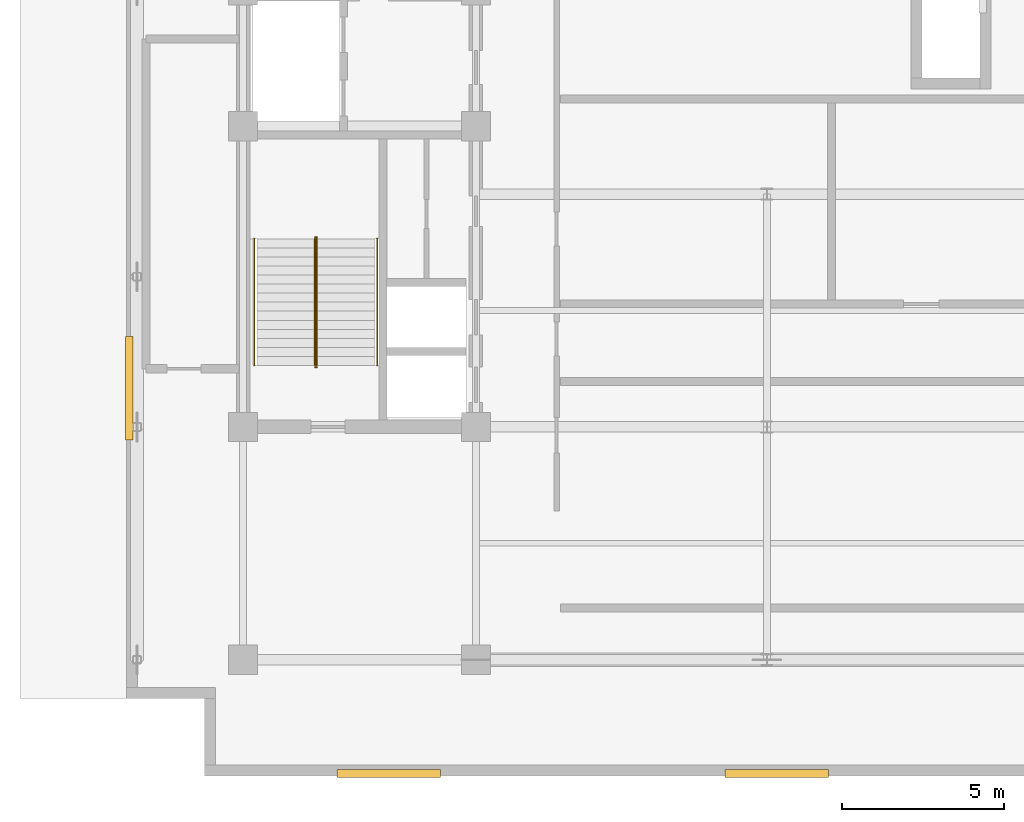
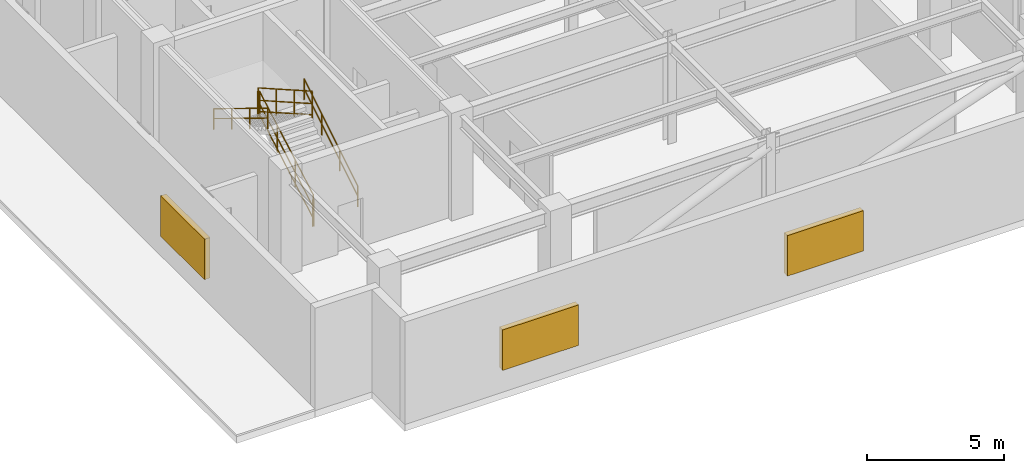
# One storey, part 9 of 13: 6 railings, 3 shading devices.
"""IFC4 building model written with IfcOpenShell, lengths in metres."""

import ifcopenshell
import ifcopenshell.guid

model = None  # the IFC model being written
_history = None  # IfcOwnerHistory: only IFC2X3 demands one
_inside = {}  # id of a spatial element -> (the spatial element, [elements in it])
_under = {}  # id of a project, library or spatial element -> (it, [spatial elements below it])
_declared = {}  # id of a project -> (the project, [libraries it declares])
_typed = {}  # id of a type object -> (the type object, [elements of that type])
_made_of = {}  # id of a material, layer set ... -> (it, [elements and type objects made of it])


def new_model(schema):
    """Start an empty IFC model of exactly this schema.

    Asked for "IFC4X3", IfcOpenShell would pick the latest addendum, in which some entities
    have other attributes; the version numbers below select the first issue.
    IFC2X3 requires an IfcOwnerHistory on every rooted entity: one is made here for all.
    """
    global model, _history
    if schema == "IFC4X3":
        model = ifcopenshell.file(schema_version=(4, 3, 0, 0))
    else:
        model = ifcopenshell.file(schema=schema)
    _inside.clear()
    _under.clear()
    _declared.clear()
    _typed.clear()
    _made_of.clear()
    _history = None
    if model.schema == "IFC2X3":
        org = make("IfcOrganization", Name="unknown")
        user = make(
            "IfcPersonAndOrganization",
            ThePerson=make("IfcPerson", FamilyName="unknown"),
            TheOrganization=org,
        )
        app = make(
            "IfcApplication",
            ApplicationDeveloper=org,
            Version="unknown",
            ApplicationFullName="unknown",
            ApplicationIdentifier="unknown",
        )
        _history = make(
            "IfcOwnerHistory",
            OwningUser=user,
            OwningApplication=app,
            ChangeAction="ADDED",
            CreationDate=0,
        )
    return model


def make(cls, **values):
    """One entity of the class cls with the attributes given. An attribute that is None is left unset."""
    return model.create_entity(
        cls, **{name: value for name, value in values.items() if value is not None}
    )


def entity(cls, *values):
    """Any entity or typed value of the class cls, its attributes in the order of the schema. None: left unset."""
    e = model.create_entity(cls)
    for i, value in enumerate(values):
        if value is not None:
            e[i] = value
    return e


def rooted(cls, **values):
    """An entity with a GlobalId (a new one), such as an element, a storey or a relation."""
    return make(cls, GlobalId=ifcopenshell.guid.new(), OwnerHistory=_history, **values)


def si_unit(unit_type, name, prefix=None):
    """IfcSIUnit, for example si_unit("LENGTHUNIT", "METRE", prefix="MILLI")."""
    return make("IfcSIUnit", UnitType=unit_type, Prefix=prefix, Name=name)


def converted_unit(unit_type, name, factor, base, dimensions=None, offset=None):
    """IfcConversionBasedUnit, such as the inch: factor (a typed value) times the base unit."""
    return make(
        "IfcConversionBasedUnit"
        if offset is None
        else "IfcConversionBasedUnitWithOffset",
        ConversionOffset=offset,
        Dimensions=None
        if dimensions is None
        else entity("IfcDimensionalExponents", *dimensions),
        UnitType=unit_type,
        Name=name,
        ConversionFactor=make(
            "IfcMeasureWithUnit", ValueComponent=factor, UnitComponent=base
        ),
    )


def assignment(units):
    """IfcUnitAssignment: the units of a project."""
    return None if units is None else make("IfcUnitAssignment", Units=units)


def point(xyz):
    """IfcCartesianPoint."""
    return None if xyz is None else make("IfcCartesianPoint", Coordinates=xyz)


def direction(xyz):
    """IfcDirection."""
    return None if xyz is None else make("IfcDirection", DirectionRatios=xyz)


def frame(location, z_axis=None, x_axis=None):
    """IfcAxis2Placement3D, a coordinate frame: its origin and axes. An axis left out is left unset."""
    return make(
        "IfcAxis2Placement3D",
        Location=point(location),
        Axis=direction(z_axis),
        RefDirection=direction(x_axis),
    )


def frame_2d(location, x_axis=None):
    """IfcAxis2Placement2D, a coordinate frame in the plane: its origin and x axis."""
    return make(
        "IfcAxis2Placement2D", Location=point(location), RefDirection=direction(x_axis)
    )


def origin_with_axes():
    """The frame at (0, 0, 0) with the z axis (0, 0, 1) and the x axis (1, 0, 0) written out."""
    return frame((0.0, 0.0, 0.0), z_axis=(0.0, 0.0, 1.0), x_axis=(1.0, 0.0, 0.0))


def origin_2d_with_axis():
    """The frame at (0, 0) in the plane with the x axis (1, 0) written out."""
    return frame_2d((0.0, 0.0), x_axis=(1.0, 0.0))


def place(relative_to, where):
    """IfcLocalPlacement: puts the frame where relative to a parent placement (None: the world)."""
    return make(
        "IfcLocalPlacement", PlacementRelTo=relative_to, RelativePlacement=where
    )


def context(
    kind, dimensions, precision=None, world=None, true_north=None, identifier=None
):
    """IfcGeometricRepresentationContext, for example the 3D "Model" context."""
    return make(
        "IfcGeometricRepresentationContext",
        ContextIdentifier=identifier,
        ContextType=kind,
        CoordinateSpaceDimension=dimensions,
        Precision=precision,
        WorldCoordinateSystem=world,
        TrueNorth=true_north,
    )


def subcontext(parent, identifier, kind, view, scale=None):
    """IfcGeometricRepresentationSubContext, for example "Body" below "Model"."""
    return make(
        "IfcGeometricRepresentationSubContext",
        ContextIdentifier=identifier,
        ContextType=kind,
        ParentContext=parent,
        TargetScale=scale,
        TargetView=view,
    )


def project(units=None, contexts=None):
    """IfcProject with its units and contexts."""
    return rooted(
        "IfcProject",
        Name="project",
        RepresentationContexts=contexts,
        UnitsInContext=assignment(units),
    )


def spatial(cls, under=None, at=None, **own):
    """A site, building, storey or space (cls), placed at a placement, below another one or the project."""
    s = rooted(cls, ObjectPlacement=at, **own)
    if under is not None:
        _under.setdefault(under.id(), (under, []))[1].append(s)
    return s


def profile(cls, at=None, kind="AREA", **sizes):
    """A parametric profile (cls). Its sizes go by their IFC names, for example OverallWidth=200.0."""
    return make(cls, ProfileType=kind, Position=at, **sizes)


def rectangle(**sizes):
    """IfcRectangleProfileDef."""
    return profile("IfcRectangleProfileDef", **sizes)


def circle(**sizes):
    """IfcCircleProfileDef."""
    return profile("IfcCircleProfileDef", **sizes)


def extrude(swept, where, along, depth):
    """IfcExtrudedAreaSolid: the profile swept, set in the frame where, extruded along a direction by depth."""
    return make(
        "IfcExtrudedAreaSolid",
        SweptArea=swept,
        Position=where,
        ExtrudedDirection=direction(along),
        Depth=depth,
    )


def shape(context_of_items, identifier, shape_type, items):
    """IfcShapeRepresentation: the items that make up one representation, for example the "Body"."""
    return make(
        "IfcShapeRepresentation",
        ContextOfItems=context_of_items,
        RepresentationIdentifier=identifier,
        RepresentationType=shape_type,
        Items=items,
    )


def material(Name=None, Category=None):
    """IfcMaterial."""
    return make("IfcMaterial", Name=Name, Category=Category)


def made_of(thing, what):
    """Note that an element or type object is made of a material, layer set ...; save() writes the relation."""
    if what is not None:
        _made_of.setdefault(what.id(), (what, []))[1].append(thing)
    return thing


def type_object(cls, material=None, **own):
    """A type object (cls), such as IfcWallType, which elements share."""
    return made_of(rooted(cls, **own), material)


def element(
    cls,
    number,
    at=None,
    inside=None,
    cuts=None,
    type_object=None,
    material=None,
    context=None,
    identifier="Body",
    shape_type=None,
    held_by="IfcProductDefinitionShape",
    body=None,
    shapes=None,
    **own,
):
    """One element of the class cls, such as IfcWall. Its Tag is "e" and its number.

    at: its placement. inside: the storey or other place that contains it. cuts: it is an
    opening in that element (IfcRelVoidsElement). A single representation is given by context,
    identifier, shape_type and body (its items); several are given by shapes. held_by: the class
    of the entity that holds the representations. save() writes the other relations.
    """
    e = rooted(cls, Tag="e%d" % number, ObjectPlacement=at, **own)
    if body is not None:
        shapes = [shape(context, identifier, shape_type, body)]
    if shapes is not None:
        e.Representation = make(held_by, Representations=shapes)
    if inside is not None:
        _inside.setdefault(inside.id(), (inside, []))[1].append(e)
    if cuts is not None:
        rooted(
            "IfcRelVoidsElement", RelatingBuildingElement=cuts, RelatedOpeningElement=e
        )
    if type_object is not None:
        _typed.setdefault(type_object.id(), (type_object, []))[1].append(e)
    return made_of(e, material)


def aggregate(whole, parts):
    """IfcRelAggregates: a whole, such as a stair, and the parts it consists of."""
    return rooted("IfcRelAggregates", RelatingObject=whole, RelatedObjects=parts)


def save(model, path):
    """Write the relations noted so far, then the file.

    IfcRelAggregates (storeys below a building ...), IfcRelContainedInSpatialStructure (elements
    in a storey), IfcRelDefinesByType, IfcRelAssociatesMaterial and IfcRelDeclares: one each for
    every whole, place, type object, material and project.
    """
    for whole, parts in _under.values():
        aggregate(whole, parts)
    for where, things in _inside.values():
        rooted(
            "IfcRelContainedInSpatialStructure",
            RelatedElements=things,
            RelatingStructure=where,
        )
    for kind, things in _typed.values():
        rooted("IfcRelDefinesByType", RelatedObjects=things, RelatingType=kind)
    for what, things in _made_of.values():
        rooted("IfcRelAssociatesMaterial", RelatedObjects=things, RelatingMaterial=what)
    for by, libraries in _declared.values():
        rooted("IfcRelDeclares", RelatingContext=by, RelatedDefinitions=libraries)
    model.write(path)


model = new_model("IFC4")

# Units and contexts
model_context = context("Model", 3, precision=1e-05, world=origin_with_axes(), true_north=direction((0.0, 1.0)))
body_context = subcontext(model_context, "Body", "Model", "MODEL_VIEW")
ifc_project = project(units=[si_unit("LENGTHUNIT", "METRE"), si_unit("AREAUNIT", "SQUARE_METRE"), si_unit("VOLUMEUNIT", "CUBIC_METRE"), converted_unit("PLANEANGLEUNIT", "DEGREE", entity("IfcPlaneAngleMeasure", 0.017453292519943295), si_unit("PLANEANGLEUNIT", "RADIAN"), dimensions=[0, 0, 0, 0, 0, 0, 0]), si_unit("MASSUNIT", "GRAM", prefix="KILO"), si_unit("THERMODYNAMICTEMPERATUREUNIT", "KELVIN")], contexts=[model_context])

# Site, building, storey
site_placement = place(None, origin_with_axes())
site = spatial("IfcSite", under=ifc_project, at=site_placement, CompositionType="ELEMENT")
building_placement = place(site_placement, origin_with_axes())
building = spatial("IfcBuilding", under=site, at=building_placement, Name="Varnlund Millrace Tower", CompositionType="ELEMENT")
storey_placement = place(building_placement, frame((0.0, 0.0, 248.1), z_axis=(0.0, 0.0, 1.0), x_axis=(1.0, 0.0, 0.0)))
storey = spatial("IfcBuildingStorey", under=building, at=storey_placement, Name="L61", CompositionType="ELEMENT", Elevation=248.1)

# Shading devices
ifc_material_1 = material(Name="Architectural bronze cold-climate intake louvre", Category="aluminium")
shading_device_type = type_object("IfcShadingDeviceType", Name="Type-Shade-CrownLouvre-JAL", PredefinedType="JALOUSIE", material=ifc_material_1)
for number, where, z_axis, x_axis, name in (
    (1, (7.88, 12.0, 1.0), (0.0, 0.0, 1.0), (0.0, 1.0, 0.0), "Type-Shade-CrownLouvre-JAL"),
    (2, (15.9, 0.08, 1.0), (0.0, 0.0, 1.0), (1.0, 0.0, 0.0), "Type-Shade-CrownLouvre-JAL"),
    (3, (27.9, 0.08, 1.0), (0.0, 0.0, 1.0), (1.0, 0.0, 0.0), "Type-Shade-CrownLouvre-JAL"),
):
    element("IfcShadingDevice", number, at=place(storey_placement, frame(where, z_axis=z_axis, x_axis=x_axis)), inside=storey, type_object=shading_device_type, Name=name, PredefinedType="JALOUSIE", context=body_context, shape_type="SweptSolid", body=[
        extrude(rectangle(XDim=3.2, YDim=0.24, at=origin_2d_with_axis()), origin_with_axes(), (0.0, 0.0, 1.0), 1.8),
    ])

# Railings
ifc_material_2 = material(Name="Painted steel stair well balustrade guard", Category="steel")
railing_type_1 = type_object("IfcRailingType", Name="Type-StairGuard-1150", PredefinedType="GUARDRAIL", material=ifc_material_2)
railing_1_placement = place(storey_placement, frame((0.0, 0.0, -248.1), z_axis=(0.0, 0.0, 1.0), x_axis=(1.0, 0.0, 0.0)))
element("IfcRailing", 4, at=railing_1_placement, inside=storey, type_object=railing_type_1, Name="Type-StairGuard-1150", PredefinedType="GUARDRAIL", context=body_context, shape_type="SweptSolid", body=[
    extrude(circle(Radius=0.024, at=origin_2d_with_axis()), frame((13.675, 12.7, 249.421429), z_axis=(0.0, 0.869333, 0.494227), x_axis=(-1.0, 0.0, 0.0)), (0.0, 0.0, 1.0), 4.509205),
    extrude(circle(Radius=0.024, at=origin_2d_with_axis()), frame((13.675, 12.7, 248.371429), z_axis=(0.0, 0.869333, 0.494227), x_axis=(-1.0, 0.0, 0.0)), (0.0, 0.0, 1.0), 4.509205),
    extrude(circle(Radius=0.024, at=origin_2d_with_axis()), frame((13.675, 12.7, 248.869429), z_axis=(0.0, 0.869333, 0.494227), x_axis=(-1.0, 0.0, 0.0)), (0.0, 0.0, 1.0), 4.509205),
    extrude(rectangle(XDim=0.04, YDim=0.04, at=origin_2d_with_axis()), frame((13.675, 12.7, 248.231429), z_axis=(0.0, 0.0, 1.0), x_axis=(1.0, 0.0, 0.0)), (0.0, 0.0, 1.0), 1.19),
    extrude(rectangle(XDim=0.04, YDim=0.04, at=origin_2d_with_axis()), frame((13.675, 14.006667, 248.974286), z_axis=(0.0, 0.0, 1.0), x_axis=(1.0, 0.0, 0.0)), (0.0, 0.0, 1.0), 1.19),
    extrude(rectangle(XDim=0.04, YDim=0.04, at=origin_2d_with_axis()), frame((13.675, 15.313333, 249.717143), z_axis=(0.0, 0.0, 1.0), x_axis=(1.0, 0.0, 0.0)), (0.0, 0.0, 1.0), 1.19),
    extrude(rectangle(XDim=0.04, YDim=0.04, at=origin_2d_with_axis()), frame((13.675, 16.62, 250.46), z_axis=(0.0, 0.0, 1.0), x_axis=(1.0, 0.0, 0.0)), (0.0, 0.0, 1.0), 1.19),
])
railing_2_placement = place(storey_placement, frame((0.0, 0.0, -248.1), z_axis=(0.0, 0.0, 1.0), x_axis=(1.0, 0.0, 0.0)))
element("IfcRailing", 5, at=railing_2_placement, inside=storey, type_object=railing_type_1, Name="Type-StairGuard-1150", PredefinedType="GUARDRAIL", context=body_context, shape_type="SweptSolid", body=[
    extrude(circle(Radius=0.024, at=origin_2d_with_axis()), frame((13.625, 16.67, 251.65), z_axis=(1.0, 0.0, 0.0), x_axis=(0.0, 1.0, 0.0)), (0.0, 0.0, 1.0), 0.05),
    extrude(circle(Radius=0.024, at=origin_2d_with_axis()), frame((13.625, 16.67, 250.6), z_axis=(1.0, 0.0, 0.0), x_axis=(0.0, 1.0, 0.0)), (0.0, 0.0, 1.0), 0.05),
    extrude(circle(Radius=0.024, at=origin_2d_with_axis()), frame((13.625, 16.67, 251.098), z_axis=(1.0, 0.0, 0.0), x_axis=(0.0, 1.0, 0.0)), (0.0, 0.0, 1.0), 0.05),
    extrude(rectangle(XDim=0.04, YDim=0.04, at=origin_2d_with_axis()), frame((13.625, 16.67, 250.46), z_axis=(0.0, 0.0, 1.0), x_axis=(1.0, 0.0, 0.0)), (0.0, 0.0, 1.0), 1.19),
    extrude(rectangle(XDim=0.04, YDim=0.04, at=origin_2d_with_axis()), frame((13.675, 16.67, 250.46), z_axis=(0.0, 0.0, 1.0), x_axis=(1.0, 0.0, 0.0)), (0.0, 0.0, 1.0), 1.19),
])
railing_3_placement = place(storey_placement, frame((0.0, 0.0, -248.1), z_axis=(0.0, 0.0, 1.0), x_axis=(1.0, 0.0, 0.0)))
element("IfcRailing", 6, at=railing_3_placement, inside=storey, type_object=railing_type_1, Name="Type-StairGuard-1150", PredefinedType="GUARDRAIL", context=body_context, shape_type="SweptSolid", body=[
    extrude(circle(Radius=0.024, at=origin_2d_with_axis()), frame((13.625, 16.62, 251.821429), z_axis=(0.0, -0.869333, 0.494227), x_axis=(1.0, 0.0, 0.0)), (0.0, 0.0, 1.0), 4.509205),
    extrude(circle(Radius=0.024, at=origin_2d_with_axis()), frame((13.625, 16.62, 250.771429), z_axis=(0.0, -0.869333, 0.494227), x_axis=(1.0, 0.0, 0.0)), (0.0, 0.0, 1.0), 4.509205),
    extrude(circle(Radius=0.024, at=origin_2d_with_axis()), frame((13.625, 16.62, 251.269429), z_axis=(0.0, -0.869333, 0.494227), x_axis=(1.0, 0.0, 0.0)), (0.0, 0.0, 1.0), 4.509205),
    extrude(rectangle(XDim=0.04, YDim=0.04, at=origin_2d_with_axis()), frame((13.625, 16.62, 250.631429), z_axis=(0.0, 0.0, 1.0), x_axis=(1.0, 0.0, 0.0)), (0.0, 0.0, 1.0), 1.19),
    extrude(rectangle(XDim=0.04, YDim=0.04, at=origin_2d_with_axis()), frame((13.625, 15.313333, 251.374286), z_axis=(0.0, 0.0, 1.0), x_axis=(1.0, 0.0, 0.0)), (0.0, 0.0, 1.0), 1.19),
    extrude(rectangle(XDim=0.04, YDim=0.04, at=origin_2d_with_axis()), frame((13.625, 14.006667, 252.117143), z_axis=(0.0, 0.0, 1.0), x_axis=(1.0, 0.0, 0.0)), (0.0, 0.0, 1.0), 1.19),
    extrude(rectangle(XDim=0.04, YDim=0.04, at=origin_2d_with_axis()), frame((13.625, 12.7, 252.86), z_axis=(0.0, 0.0, 1.0), x_axis=(1.0, 0.0, 0.0)), (0.0, 0.0, 1.0), 1.19),
])
railing_4_placement = place(storey_placement, frame((0.0, 0.0, -248.1), z_axis=(0.0, 0.0, 1.0), x_axis=(1.0, 0.0, 0.0)))
element("IfcRailing", 7, at=railing_4_placement, inside=storey, type_object=railing_type_1, Name="Type-StairGuard-1150", PredefinedType="GUARDRAIL", context=body_context, shape_type="SweptSolid", body=[
    extrude(circle(Radius=0.024, at=origin_2d_with_axis()), frame((13.625, 12.65, 249.25), z_axis=(1.0, 0.0, 0.0), x_axis=(0.0, 1.0, 0.0)), (0.0, 0.0, 1.0), 0.05),
    extrude(circle(Radius=0.024, at=origin_2d_with_axis()), frame((13.625, 12.65, 248.2), z_axis=(1.0, 0.0, 0.0), x_axis=(0.0, 1.0, 0.0)), (0.0, 0.0, 1.0), 0.05),
    extrude(circle(Radius=0.024, at=origin_2d_with_axis()), frame((13.625, 12.65, 248.698), z_axis=(1.0, 0.0, 0.0), x_axis=(0.0, 1.0, 0.0)), (0.0, 0.0, 1.0), 0.05),
    extrude(rectangle(XDim=0.04, YDim=0.04, at=origin_2d_with_axis()), frame((13.625, 12.65, 248.06), z_axis=(0.0, 0.0, 1.0), x_axis=(1.0, 0.0, 0.0)), (0.0, 0.0, 1.0), 1.19),
    extrude(rectangle(XDim=0.04, YDim=0.04, at=origin_2d_with_axis()), frame((13.675, 12.65, 248.06), z_axis=(0.0, 0.0, 1.0), x_axis=(1.0, 0.0, 0.0)), (0.0, 0.0, 1.0), 1.19),
])
ifc_material_3 = material(Name="Brushed architectural bronze stair handrail", Category="aluminium")
railing_type_2 = type_object("IfcRailingType", Name="Type-StairHandrail-900", PredefinedType="HANDRAIL", material=ifc_material_3)
railing_5_placement = place(storey_placement, frame((0.0, 0.0, -248.1), z_axis=(0.0, 0.0, 1.0), x_axis=(1.0, 0.0, 0.0)))
element("IfcRailing", 8, at=railing_5_placement, inside=storey, type_object=railing_type_2, Name="Type-StairHandrail-900", PredefinedType="HANDRAIL", context=body_context, shape_type="SweptSolid", body=[
    extrude(circle(Radius=0.024, at=origin_2d_with_axis()), frame((15.55, 12.7, 249.150961), z_axis=(0.0, 0.852851, 0.522154), x_axis=(-1.0, 0.0, 0.0)), (0.0, 0.0, 1.0), 4.596346),
    extrude(circle(Radius=0.024, at=origin_2d_with_axis()), frame((15.55, 12.7, 248.711195), z_axis=(0.0, 0.852851, 0.522154), x_axis=(-1.0, 0.0, 0.0)), (0.0, 0.0, 1.0), 4.596346),
    extrude(rectangle(XDim=0.04, YDim=0.04, at=origin_2d_with_axis()), frame((15.55, 12.7, 248.231429), z_axis=(0.0, 0.0, 1.0), x_axis=(1.0, 0.0, 0.0)), (0.0, 0.0, 1.0), 0.919532),
    extrude(rectangle(XDim=0.04, YDim=0.04, at=origin_2d_with_axis()), frame((15.55, 14.006667, 249.031429), z_axis=(0.0, 0.0, 1.0), x_axis=(1.0, 0.0, 0.0)), (0.0, 0.0, 1.0), 0.919532),
    extrude(rectangle(XDim=0.04, YDim=0.04, at=origin_2d_with_axis()), frame((15.55, 15.313333, 249.831429), z_axis=(0.0, 0.0, 1.0), x_axis=(1.0, 0.0, 0.0)), (0.0, 0.0, 1.0), 0.919532),
    extrude(rectangle(XDim=0.04, YDim=0.04, at=origin_2d_with_axis()), frame((15.55, 16.62, 250.631429), z_axis=(0.0, 0.0, 1.0), x_axis=(1.0, 0.0, 0.0)), (0.0, 0.0, 1.0), 0.919532),
])
railing_6_placement = place(storey_placement, frame((0.0, 0.0, -248.1), z_axis=(0.0, 0.0, 1.0), x_axis=(1.0, 0.0, 0.0)))
element("IfcRailing", 9, at=railing_6_placement, inside=storey, type_object=railing_type_2, Name="Type-StairHandrail-900", PredefinedType="HANDRAIL", context=body_context, shape_type="SweptSolid", body=[
    extrude(circle(Radius=0.024, at=origin_2d_with_axis()), frame((11.75, 16.62, 251.550961), z_axis=(0.0, -0.852851, 0.522154), x_axis=(1.0, 0.0, 0.0)), (0.0, 0.0, 1.0), 4.596346),
    extrude(circle(Radius=0.024, at=origin_2d_with_axis()), frame((11.75, 16.62, 251.111195), z_axis=(0.0, -0.852851, 0.522154), x_axis=(1.0, 0.0, 0.0)), (0.0, 0.0, 1.0), 4.596346),
    extrude(rectangle(XDim=0.04, YDim=0.04, at=origin_2d_with_axis()), frame((11.75, 16.62, 250.631429), z_axis=(0.0, 0.0, 1.0), x_axis=(1.0, 0.0, 0.0)), (0.0, 0.0, 1.0), 0.919532),
    extrude(rectangle(XDim=0.04, YDim=0.04, at=origin_2d_with_axis()), frame((11.75, 15.313333, 251.431429), z_axis=(0.0, 0.0, 1.0), x_axis=(1.0, 0.0, 0.0)), (0.0, 0.0, 1.0), 0.919532),
    extrude(rectangle(XDim=0.04, YDim=0.04, at=origin_2d_with_axis()), frame((11.75, 14.006667, 252.231429), z_axis=(0.0, 0.0, 1.0), x_axis=(1.0, 0.0, 0.0)), (0.0, 0.0, 1.0), 0.919532),
    extrude(rectangle(XDim=0.04, YDim=0.04, at=origin_2d_with_axis()), frame((11.75, 12.7, 253.031429), z_axis=(0.0, 0.0, 1.0), x_axis=(1.0, 0.0, 0.0)), (0.0, 0.0, 1.0), 0.919532),
])

save(model, "model.ifc")
